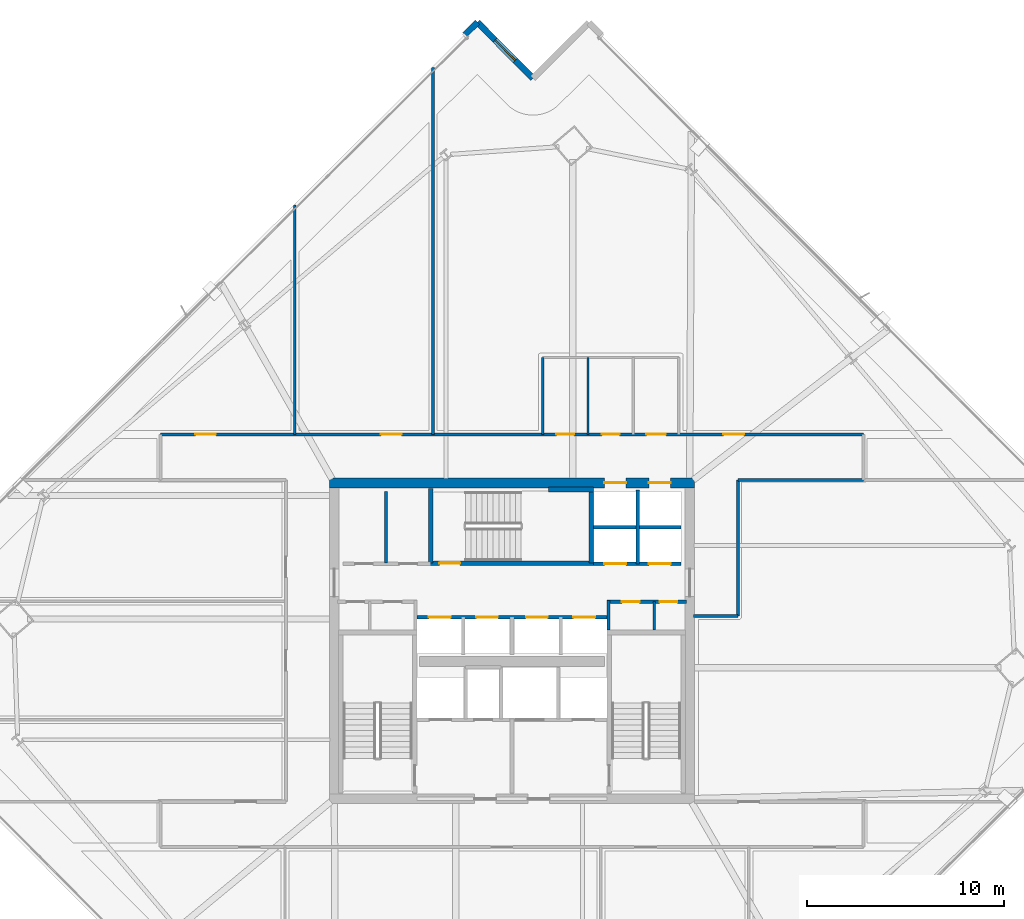
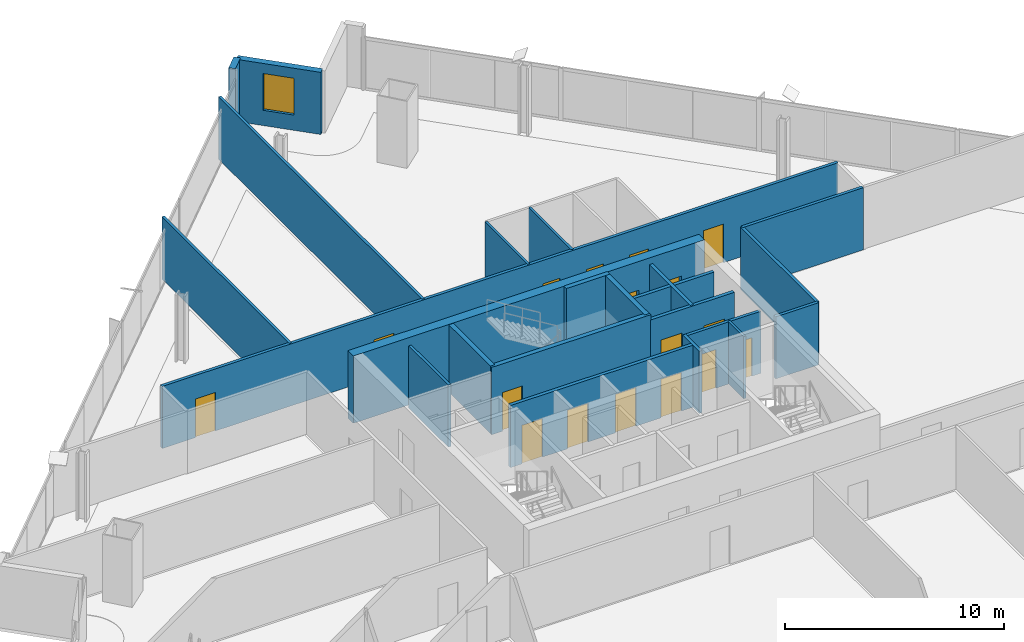
# One storey, part 26 of 32: 23 walls, 17 doors, 1 window, 18 openings.
"""IFC4 building model written with IfcOpenShell, lengths in metres."""

from ifc_helpers import new_model, si_unit, direction, frame, frame_2d, origin, place, context, subcontext, project, spatial, rectangle, extrude, material, layer, layer_set, type_object, element, fill, save


model = new_model("IFC4")

# Units and contexts
model_context = context("Model", 3, precision=1e-05, world=origin(), true_north=direction((0.0, 1.0)))
body_context = subcontext(model_context, "Body", "Model", "MODEL_VIEW")
ifc_project = project(units=[si_unit("LENGTHUNIT", "METRE"), si_unit("AREAUNIT", "SQUARE_METRE"), si_unit("VOLUMEUNIT", "CUBIC_METRE"), si_unit("PLANEANGLEUNIT", "RADIAN"), si_unit("MASSUNIT", "GRAM", prefix="KILO")], contexts=[model_context])

# Site, building, storey
site_placement = place(None, origin())
site = spatial("IfcSite", under=ifc_project, at=site_placement, CompositionType="ELEMENT")
building_placement = place(site_placement, origin())
building = spatial("IfcBuilding", under=site, at=building_placement, Name="Haldenkirk Collegiate Tower", CompositionType="ELEMENT")
storey_placement = place(building_placement, frame((0.0, 0.0, 178.199951171875)))
storey = spatial("IfcBuildingStorey", under=building, at=storey_placement, Name="L44", CompositionType="ELEMENT", Elevation=178.199951171875)

# Wall, openings, doors
ifc_material_1 = material(Name="Concrete f'c 55 MPa", Category="concrete")
ifc_layer_1 = layer(ifc_material_1, 0.5)
ifc_layer_set_1 = layer_set([ifc_layer_1], Name="Concrete f'c 55 MPa")
wall_type_1 = type_object("IfcWallType", Name="WL-CORE-500", PredefinedType="SHEAR", material=ifc_layer_set_1)
wall_1_placement = place(storey_placement, frame((26.75, 34.0, 0.0), z_axis=(0.0, 0.0, 1.0), x_axis=(1.0, 0.0, 0.0)))
wall_1 = element("IfcWall", 1, at=wall_1_placement, inside=storey, type_object=wall_type_1, Name="L44 central core shear wall N", PredefinedType="SHEAR", context=body_context, shape_type="SweptSolid", body=[
    extrude(rectangle(XDim=18.5, YDim=0.5, at=frame_2d((9.25, 0.0))), origin(), (0.0, 0.0, 1.0), 3.75),
])
opening_1_placement = place(wall_1_placement, frame((13.93505859375, 0.0, 0.0)))
opening_1 = element("IfcOpeningElement", 2, at=opening_1_placement, cuts=wall_1, Name="Opening LD-11", PredefinedType="OPENING", context=body_context, shape_type="SweptSolid", body=[
    extrude(rectangle(XDim=1.10009765625, YDim=2.14990234375, at=frame_2d((0.550048828125, 1.074951171875))), frame((0.0, 0.260009765625, 0.0), z_axis=(0.0, -1.0, 0.0), x_axis=(1.0, 0.0, 0.0)), (0.0, 0.0, 1.0), 0.52001953125),
])
opening_2_placement = place(wall_1_placement, frame((16.18505859375, 0.0, 0.0)))
opening_2 = element("IfcOpeningElement", 3, at=opening_2_placement, cuts=wall_1, Name="Opening LD-11", PredefinedType="OPENING", context=body_context, shape_type="SweptSolid", body=[
    extrude(rectangle(XDim=1.10009765625, YDim=2.14990234375, at=frame_2d((0.550048828125, 1.074951171875))), frame((0.0, 0.260009765625, 0.0), z_axis=(0.0, -1.0, 0.0), x_axis=(1.0, 0.0, 0.0)), (0.0, 0.0, 1.0), 0.52001953125),
])
ifc_material_2 = material(Name="Brushed architectural stainless steel", Category="steel")
ifc_layer_2 = layer(ifc_material_2, 0.06005859375)
ifc_layer_set_2 = layer_set([ifc_layer_2], Name="Brushed architectural stainless steel")
door_type_1 = type_object("IfcDoorType", Name="LD-PASS-1100", OperationType="NOTDEFINED", PredefinedType="DOOR", material=ifc_layer_set_2)
door_1_placement = place(opening_1_placement, origin())
door_1 = element("IfcDoor", 4, at=door_1_placement, inside=storey, type_object=door_type_1, Name="L44 Elevator PM3 sliding landing door", OperationType="SLIDING_TO_LEFT", OverallHeight=2.14990234375, OverallWidth=1.10009765625, PredefinedType="DOOR", context=body_context, shape_type="SweptSolid", body=[
    extrude(rectangle(XDim=1.10009765625, YDim=2.14990234375, at=frame_2d((0.550048828125, 1.074951171875))), frame((0.0, 0.02490234375, 0.0), z_axis=(0.0, -1.0, 0.0), x_axis=(1.0, 0.0, 0.0)), (0.0, 0.0, 1.0), 0.050048828125),
])
fill(opening_1, door_1)
door_2_placement = place(opening_2_placement, origin())
door_2 = element("IfcDoor", 5, at=door_2_placement, inside=storey, type_object=door_type_1, Name="L44 Elevator PM4 sliding landing door", OperationType="SLIDING_TO_LEFT", OverallHeight=2.14990234375, OverallWidth=1.10009765625, PredefinedType="DOOR", context=body_context, shape_type="SweptSolid", body=[
    extrude(rectangle(XDim=1.10009765625, YDim=2.14990234375, at=frame_2d((0.550048828125, 1.074951171875))), frame((0.0, 0.02490234375, 0.0), z_axis=(0.0, -1.0, 0.0), x_axis=(1.0, 0.0, 0.0)), (0.0, 0.0, 1.0), 0.050048828125),
])
fill(opening_2, door_2)

# Wall, opening, window
ifc_material_3 = material(Name="Precast concrete f'c 40 MPa", Category="concrete")
ifc_layer_3 = layer(ifc_material_3, 0.320068359375)
ifc_layer_set_3 = layer_set([ifc_layer_3], Name="Precast concrete f'c 40 MPa")
wall_type_2 = type_object("IfcWallType", Name="WL-EXT-TWR-320", PredefinedType="STANDARD", material=ifc_layer_set_3)
wall_2_placement = place(storey_placement, frame((34.243408203125, 57.32958984375, 0.0), z_axis=(0.0, 0.0, 1.0), x_axis=(0.70524280723, -0.708965854503, 0.0)))
wall_2 = element("IfcWall", 6, at=wall_2_placement, inside=storey, type_object=wall_type_2, Name="L44 bronze precast notch wall 06", PredefinedType="STANDARD", context=body_context, shape_type="SweptSolid", body=[
    extrude(rectangle(XDim=4.0, YDim=0.320068359375, at=frame_2d((2.0, 0.0))), origin(), (0.0, 0.0, 1.0), 3.4599609375),
])
opening_3_placement = place(wall_2_placement, frame((1.27490234375, 0.0, 0.85009765625)))
opening_3 = element("IfcOpeningElement", 7, at=opening_3_placement, cuts=wall_2, Name="Opening W-05", PredefinedType="OPENING", context=body_context, shape_type="SweptSolid", body=[
    extrude(rectangle(XDim=1.449951171875, YDim=2.050048828125, at=frame_2d((0.72509765625, 1.02490234375))), frame((0.0, 0.169921875, 0.0), z_axis=(0.0, -1.0, 0.0), x_axis=(1.0, 0.0, 0.0)), (0.0, 0.0, 1.0), 0.340087890625),
])
ifc_material_4 = material(Name="Low-E argon triple insulating glass", Category="glass")
ifc_layer_4 = layer(ifc_material_4, 0.090087890625)
ifc_layer_set_4 = layer_set([ifc_layer_4], Name="Low-E argon triple insulating glass")
window_type = type_object("IfcWindowType", Name="WN-Z3-1450X2050", PartitioningType="SINGLE_PANEL", PredefinedType="WINDOW", material=ifc_layer_set_4)
window_placement = place(opening_3_placement, origin())
window = element("IfcWindow", 8, at=window_placement, inside=storey, type_object=window_type, Name="L44 precast-frame academic window 5", OverallHeight=2.050048828125, OverallWidth=1.449951171875, PartitioningType="SINGLE_PANEL", PredefinedType="WINDOW", context=body_context, shape_type="SweptSolid", body=[
    extrude(rectangle(XDim=1.449951171875, YDim=2.050048828125, at=frame_2d((0.72509765625, 1.02490234375))), frame((0.0, 0.030029296875, 0.0), z_axis=(0.0, -1.0, 0.0), x_axis=(1.0, 0.0, 0.0)), (0.0, 0.0, 1.0), 0.06005859375),
])
fill(opening_3, window)

# Wall
wall_3_placement = place(storey_placement, frame((33.60546875, 56.69482421875, 0.0), z_axis=(0.0, 0.0, 1.0), x_axis=(0.708867935569, 0.705341229422, 0.0)))
element("IfcWall", 9, at=wall_3_placement, inside=storey, type_object=wall_type_2, Name="L44 precast corner pier NR", PredefinedType="STANDARD", context=body_context, shape_type="SweptSolid", body=[
    extrude(rectangle(XDim=0.89990234375, YDim=0.320068359375, at=frame_2d((0.449951171875, 0.0))), origin(), (0.0, 0.0, 1.0), 3.4599609375),
])

# Wall, openings, doors
ifc_material_5 = material(Name="Acoustic fire-rated gypsum partition", Category="concrete")
ifc_layer_5 = layer(ifc_material_5, 0.159912109375)
ifc_layer_set_5 = layer_set([ifc_layer_5], Name="Acoustic fire-rated gypsum partition")
wall_type_3 = type_object("IfcWallType", Name="WL-INT-CORR-160", PredefinedType="PARTITIONING", material=ifc_layer_set_5)
wall_4_placement = place(storey_placement, frame((40.800048828125, 27.97998046875, 0.0), z_axis=(0.0, 0.0, 1.0), x_axis=(1.0, 0.0, 0.0)))
wall_4 = element("IfcWall", 10, at=wall_4_placement, inside=storey, type_object=wall_type_3, Name="L44 interior partition IW-L44-VCSE-N", PredefinedType="PARTITIONING", context=body_context, shape_type="SweptSolid", body=[
    extrude(rectangle(XDim=4.050048828125, YDim=0.159912109375, at=frame_2d((2.02490234375, 0.0))), origin(), (0.0, 0.0, 1.0), 3.4599609375),
])
opening_4_placement = place(wall_4_placement, frame((0.77001953125, 0.0, 0.0)))
opening_4 = element("IfcOpeningElement", 11, at=opening_4_placement, cuts=wall_4, Name="Opening D-11", PredefinedType="OPENING", context=body_context, shape_type="SweptSolid", body=[
    extrude(rectangle(XDim=0.89990234375, YDim=2.14990234375, at=frame_2d((0.449951171875, 1.074951171875))), frame((0.0, 0.08984375, 0.0), z_axis=(0.0, -1.0, 0.0), x_axis=(1.0, 0.0, 0.0)), (0.0, 0.0, 1.0), 0.179931640625),
])
opening_5_placement = place(wall_4_placement, frame((2.679931640625, 0.0, 0.0)))
opening_5 = element("IfcOpeningElement", 12, at=opening_5_placement, cuts=wall_4, Name="Opening D-11", PredefinedType="OPENING", context=body_context, shape_type="SweptSolid", body=[
    extrude(rectangle(XDim=0.89990234375, YDim=2.14990234375, at=frame_2d((0.449951171875, 1.074951171875))), frame((0.0, 0.08984375, 0.0), z_axis=(0.0, -1.0, 0.0), x_axis=(1.0, 0.0, 0.0)), (0.0, 0.0, 1.0), 0.179931640625),
])
ifc_material_6 = material(Name="Solid-core architectural oak fire door", Category="wood")
ifc_layer_6 = layer(ifc_material_6, 0.06005859375)
ifc_layer_set_6 = layer_set([ifc_layer_6], Name="Solid-core architectural oak fire door")
door_type_2 = type_object("IfcDoorType", Name="DR-INT-FD60-900", OperationType="NOTDEFINED", PredefinedType="DOOR", material=ifc_layer_set_6)
door_3_placement = place(opening_4_placement, origin())
door_3 = element("IfcDoor", 13, at=door_3_placement, inside=storey, type_object=door_type_2, Name="L44 core archive door", OperationType="SINGLE_SWING_LEFT", OverallHeight=2.14990234375, OverallWidth=0.89990234375, PredefinedType="DOOR", context=body_context, shape_type="SweptSolid", body=[
    extrude(rectangle(XDim=0.89990234375, YDim=2.14990234375, at=frame_2d((0.449951171875, 1.074951171875))), frame((0.0, 0.02490234375, 0.0), z_axis=(0.0, -1.0, 0.0), x_axis=(1.0, 0.0, 0.0)), (0.0, 0.0, 1.0), 0.050048828125),
])
fill(opening_4, door_3)
door_4_placement = place(opening_5_placement, origin())
door_4 = element("IfcDoor", 14, at=door_4_placement, inside=storey, type_object=door_type_2, Name="L44 core telecom door", OperationType="SINGLE_SWING_RIGHT", OverallHeight=2.14990234375, OverallWidth=0.89990234375, PredefinedType="DOOR", context=body_context, shape_type="SweptSolid", body=[
    extrude(rectangle(XDim=0.89990234375, YDim=2.14990234375, at=frame_2d((0.449951171875, 1.074951171875))), frame((0.0, 0.02490234375, 0.0), z_axis=(0.0, -1.0, 0.0), x_axis=(1.0, 0.0, 0.0)), (0.0, 0.0, 1.0), 0.050048828125),
])
fill(opening_5, door_4)

# Wall
wall_5_placement = place(storey_placement, frame((40.8798828125, 26.5400390625, 0.0), z_axis=(0.0, 0.0, 1.0), x_axis=(0.0, 1.0, 0.0)))
element("IfcWall", 15, at=wall_5_placement, inside=storey, type_object=wall_type_3, Name="L44 interior partition IW-L44-VCSE-W", PredefinedType="PARTITIONING", context=body_context, shape_type="SweptSolid", body=[
    extrude(rectangle(XDim=1.510009765625, YDim=0.159912109375, at=frame_2d((0.7548828125, 0.0))), origin(), (0.0, 0.0, 1.0), 3.4599609375),
])

# Wall, openings, doors
wall_6_placement = place(storey_placement, frame((18.199951171875, 36.449951171875, 0.0), z_axis=(0.0, 0.0, 1.0), x_axis=(1.0, 0.0, 0.0)))
wall_6 = element("IfcWall", 16, at=wall_6_placement, inside=storey, type_object=wall_type_3, Name="L44 interior partition IW-L44-CN", PredefinedType="PARTITIONING", context=body_context, shape_type="SweptSolid", body=[
    extrude(rectangle(XDim=35.60009765625, YDim=0.159912109375, at=frame_2d((17.800048828125, 0.0))), origin(), (0.0, 0.0, 1.0), 3.4599609375),
])
opening_6_placement = place(wall_6_placement, frame((20.050048828125, 0.0, 0.0)))
opening_6 = element("IfcOpeningElement", 17, at=opening_6_placement, cuts=wall_6, Name="Opening D-13", PredefinedType="OPENING", context=body_context, shape_type="SweptSolid", body=[
    extrude(rectangle(XDim=0.89990234375, YDim=2.14990234375, at=frame_2d((0.449951171875, 1.074951171875))), frame((0.0, 0.08984375, 0.0), z_axis=(0.0, -1.0, 0.0), x_axis=(1.0, 0.0, 0.0)), (0.0, 0.0, 1.0), 0.179931640625),
])
opening_7_placement = place(wall_6_placement, frame((22.35009765625, 0.0, 0.0)))
opening_7 = element("IfcOpeningElement", 18, at=opening_7_placement, cuts=wall_6, Name="Opening D-13", PredefinedType="OPENING", context=body_context, shape_type="SweptSolid", body=[
    extrude(rectangle(XDim=0.89990234375, YDim=2.14990234375, at=frame_2d((0.449951171875, 1.074951171875))), frame((0.0, 0.08984375, 0.0), z_axis=(0.0, -1.0, 0.0), x_axis=(1.0, 0.0, 0.0)), (0.0, 0.0, 1.0), 0.179931640625),
])
opening_8_placement = place(wall_6_placement, frame((24.60009765625, 0.0, 0.0)))
opening_8 = element("IfcOpeningElement", 19, at=opening_8_placement, cuts=wall_6, Name="Opening D-14", PredefinedType="OPENING", context=body_context, shape_type="SweptSolid", body=[
    extrude(rectangle(XDim=1.0, YDim=2.14990234375, at=frame_2d((0.5, 1.074951171875))), frame((0.0, 0.08984375, 0.0), z_axis=(0.0, -1.0, 0.0), x_axis=(1.0, 0.0, 0.0)), (0.0, 0.0, 1.0), 0.179931640625),
])
opening_9_placement = place(wall_6_placement, frame((1.757080078125, 0.0, 0.0)))
opening_9 = element("IfcOpeningElement", 20, at=opening_9_placement, cuts=wall_6, Name="Opening D-09", PredefinedType="OPENING", context=body_context, shape_type="SweptSolid", body=[
    extrude(rectangle(XDim=1.050048828125, YDim=2.14990234375, at=frame_2d((0.52490234375, 1.074951171875))), frame((0.0, 0.08984375, 0.0), z_axis=(0.0, -1.0, 0.0), x_axis=(1.0, 0.0, 0.0)), (0.0, 0.0, 1.0), 0.179931640625),
])
opening_10_placement = place(wall_6_placement, frame((11.155029296875, 0.0, 0.0)))
opening_10 = element("IfcOpeningElement", 21, at=opening_10_placement, cuts=wall_6, Name="Opening D-09", PredefinedType="OPENING", context=body_context, shape_type="SweptSolid", body=[
    extrude(rectangle(XDim=1.050048828125, YDim=2.14990234375, at=frame_2d((0.52490234375, 1.074951171875))), frame((0.0, 0.08984375, 0.0), z_axis=(0.0, -1.0, 0.0), x_axis=(1.0, 0.0, 0.0)), (0.0, 0.0, 1.0), 0.179931640625),
])
opening_11_placement = place(wall_6_placement, frame((28.5048828125, 0.0, 0.0)))
opening_11 = element("IfcOpeningElement", 22, at=opening_11_placement, cuts=wall_6, Name="Opening D-09", PredefinedType="OPENING", context=body_context, shape_type="SweptSolid", body=[
    extrude(rectangle(XDim=1.050048828125, YDim=2.14990234375, at=frame_2d((0.52490234375, 1.074951171875))), frame((0.0, 0.08984375, 0.0), z_axis=(0.0, -1.0, 0.0), x_axis=(1.0, 0.0, 0.0)), (0.0, 0.0, 1.0), 0.179931640625),
])
ifc_layer_7 = layer(ifc_material_6, 0.06005859375)
ifc_layer_set_7 = layer_set([ifc_layer_7], Name="Solid-core architectural oak fire door")
door_type_3 = type_object("IfcDoorType", Name="DR-INT-ACC-1000", OperationType="NOTDEFINED", PredefinedType="DOOR", material=ifc_layer_set_7)
door_5_placement = place(opening_8_placement, origin())
door_5 = element("IfcDoor", 23, at=door_5_placement, inside=storey, type_object=door_type_3, Name="L44 Accessible WC door", OperationType="SINGLE_SWING_LEFT", OverallHeight=2.14990234375, OverallWidth=1.0, PredefinedType="DOOR", context=body_context, shape_type="SweptSolid", body=[
    extrude(rectangle(XDim=1.0, YDim=2.14990234375, at=frame_2d((0.5, 1.074951171875))), frame((0.0, 0.02490234375, 0.0), z_axis=(0.0, -1.0, 0.0), x_axis=(1.0, 0.0, 0.0)), (0.0, 0.0, 1.0), 0.050048828125),
])
fill(opening_8, door_5)
ifc_layer_8 = layer(ifc_material_6, 0.06005859375)
ifc_layer_set_8 = layer_set([ifc_layer_8], Name="Solid-core architectural oak fire door")
door_type_4 = type_object("IfcDoorType", Name="DR-INT-FD60-1050", OperationType="NOTDEFINED", PredefinedType="DOOR", material=ifc_layer_set_8)
door_6_placement = place(opening_9_placement, origin())
door_6 = element("IfcDoor", 24, at=door_6_placement, inside=storey, type_object=door_type_4, Name="L44 Research Office 5 door", OperationType="SINGLE_SWING_RIGHT", OverallHeight=2.14990234375, OverallWidth=1.050048828125, PredefinedType="DOOR", context=body_context, shape_type="SweptSolid", body=[
    extrude(rectangle(XDim=1.050048828125, YDim=2.14990234375, at=frame_2d((0.52490234375, 1.074951171875))), frame((0.0, 0.02490234375, 0.0), z_axis=(0.0, -1.0, 0.0), x_axis=(1.0, 0.0, 0.0)), (0.0, 0.0, 1.0), 0.050048828125),
])
fill(opening_9, door_6)
door_7_placement = place(opening_10_placement, origin())
door_7 = element("IfcDoor", 25, at=door_7_placement, inside=storey, type_object=door_type_4, Name="L44 Doctoral Office 6 door", OperationType="SINGLE_SWING_LEFT", OverallHeight=2.14990234375, OverallWidth=1.050048828125, PredefinedType="DOOR", context=body_context, shape_type="SweptSolid", body=[
    extrude(rectangle(XDim=1.050048828125, YDim=2.14990234375, at=frame_2d((0.52490234375, 1.074951171875))), frame((0.0, 0.02490234375, 0.0), z_axis=(0.0, -1.0, 0.0), x_axis=(1.0, 0.0, 0.0)), (0.0, 0.0, 1.0), 0.050048828125),
])
fill(opening_10, door_7)
door_8_placement = place(opening_11_placement, origin())
door_8 = element("IfcDoor", 26, at=door_8_placement, inside=storey, type_object=door_type_4, Name="L44 Wet Science Laboratory 7 door", OperationType="SINGLE_SWING_RIGHT", OverallHeight=2.14990234375, OverallWidth=1.050048828125, PredefinedType="DOOR", context=body_context, shape_type="SweptSolid", body=[
    extrude(rectangle(XDim=1.050048828125, YDim=2.14990234375, at=frame_2d((0.52490234375, 1.074951171875))), frame((0.0, 0.02490234375, 0.0), z_axis=(0.0, -1.0, 0.0), x_axis=(1.0, 0.0, 0.0)), (0.0, 0.0, 1.0), 0.050048828125),
])
fill(opening_11, door_8)
ifc_layer_9 = layer(ifc_material_6, 0.06005859375)
ifc_layer_set_9 = layer_set([ifc_layer_9], Name="Solid-core architectural oak fire door")
door_type_5 = type_object("IfcDoorType", Name="DR-INT-STD-900", OperationType="NOTDEFINED", PredefinedType="DOOR", material=ifc_layer_set_9)
door_9_placement = place(opening_6_placement, origin())
door_9 = element("IfcDoor", 27, at=door_9_placement, inside=storey, type_object=door_type_5, Name="L44 Male WC door", OperationType="SINGLE_SWING_LEFT", OverallHeight=2.14990234375, OverallWidth=0.89990234375, PredefinedType="DOOR", context=body_context, shape_type="SweptSolid", body=[
    extrude(rectangle(XDim=0.89990234375, YDim=2.14990234375, at=frame_2d((0.449951171875, 1.074951171875))), frame((0.0, 0.02490234375, 0.0), z_axis=(0.0, -1.0, 0.0), x_axis=(1.0, 0.0, 0.0)), (0.0, 0.0, 1.0), 0.050048828125),
])
fill(opening_6, door_9)
door_10_placement = place(opening_7_placement, origin())
door_10 = element("IfcDoor", 28, at=door_10_placement, inside=storey, type_object=door_type_5, Name="L44 Female WC door", OperationType="SINGLE_SWING_RIGHT", OverallHeight=2.14990234375, OverallWidth=0.89990234375, PredefinedType="DOOR", context=body_context, shape_type="SweptSolid", body=[
    extrude(rectangle(XDim=0.89990234375, YDim=2.14990234375, at=frame_2d((0.449951171875, 1.074951171875))), frame((0.0, 0.02490234375, 0.0), z_axis=(0.0, -1.0, 0.0), x_axis=(1.0, 0.0, 0.0)), (0.0, 0.0, 1.0), 0.050048828125),
])
fill(opening_7, door_10)

# Walls
wall_7_placement = place(storey_placement, frame((47.449951171875, 34.14990234375, 0.0), z_axis=(0.0, 0.0, 1.0), x_axis=(1.0, 0.0, 0.0)))
element("IfcWall", 29, at=wall_7_placement, inside=storey, type_object=wall_type_3, Name="L44 interior partition IW-L44-CNE", PredefinedType="PARTITIONING", context=body_context, shape_type="SweptSolid", body=[
    extrude(rectangle(XDim=6.35009765625, YDim=0.159912109375, at=frame_2d((3.175048828125, 0.0))), origin(), (0.0, 0.0, 1.0), 3.4599609375),
])
wall_8_placement = place(storey_placement, frame((47.449951171875, 27.25, 0.0), z_axis=(0.0, 0.0, 1.0), x_axis=(0.0, 1.0, 0.0)))
element("IfcWall", 30, at=wall_8_placement, inside=storey, type_object=wall_type_3, Name="L44 interior partition IW-L44-CE", PredefinedType="PARTITIONING", context=body_context, shape_type="SweptSolid", body=[
    extrude(rectangle(XDim=6.89990234375, YDim=0.159912109375, at=frame_2d((3.449951171875, 0.0))), origin(), (0.0, 0.0, 1.0), 3.4599609375),
])
wall_9_placement = place(storey_placement, frame((45.199951171875, 27.25, 0.0), z_axis=(0.0, 0.0, 1.0), x_axis=(1.0, 0.0, 0.0)))
element("IfcWall", 31, at=wall_9_placement, inside=storey, type_object=wall_type_3, Name="L44 interior partition IW-L44-CES", PredefinedType="PARTITIONING", context=body_context, shape_type="SweptSolid", body=[
    extrude(rectangle(XDim=2.25, YDim=0.159912109375, at=frame_2d((1.125, 0.0))), origin(), (0.0, 0.0, 1.0), 3.4599609375),
])
ifc_layer_10 = layer(ifc_material_5, 0.139892578125)
ifc_layer_set_10 = layer_set([ifc_layer_10], Name="Acoustic fire-rated gypsum partition")
wall_type_4 = type_object("IfcWallType", Name="WL-INT-DIV-140", PredefinedType="PARTITIONING", material=ifc_layer_set_10)
wall_10_placement = place(storey_placement, frame((29.6201171875, 29.949951171875, 0.0), z_axis=(0.0, 0.0, 1.0), x_axis=(0.0, 1.0, 0.0)))
element("IfcWall", 32, at=wall_10_placement, inside=storey, type_object=wall_type_4, Name="L44 interior partition IW-L44-PLDIV", PredefinedType="PARTITIONING", context=body_context, shape_type="SweptSolid", body=[
    extrude(rectangle(XDim=3.60009765625, YDim=0.139892578125, at=frame_2d((1.800048828125, 0.0))), origin(), (0.0, 0.0, 1.0), 3.4599609375),
])
wall_11_placement = place(storey_placement, frame((25.0, 36.449951171875, 0.0), z_axis=(0.0, 0.0, 1.0), x_axis=(0.0, 1.0, 0.0)))
element("IfcWall", 33, at=wall_11_placement, inside=storey, type_object=wall_type_4, Name="L44 interior partition IW-L44-RN1", PredefinedType="PARTITIONING", context=body_context, shape_type="SweptSolid", body=[
    extrude(rectangle(XDim=11.6279296875, YDim=0.139892578125, at=frame_2d((5.81396484375, 0.0))), origin(), (0.0, 0.0, 1.0), 3.4599609375),
])
wall_12_placement = place(storey_placement, frame((32.0, 36.449951171875, 0.0), z_axis=(0.0, 0.0, 1.0), x_axis=(0.0, 1.0, 0.0)))
element("IfcWall", 34, at=wall_12_placement, inside=storey, type_object=wall_type_4, Name="L44 interior partition IW-L44-RN2", PredefinedType="PARTITIONING", context=body_context, shape_type="SweptSolid", body=[
    extrude(rectangle(XDim=18.59130859375, YDim=0.139892578125, at=frame_2d((9.295654296875, 0.0))), origin(), (0.0, 0.0, 1.0), 3.4599609375),
])

# Wall, openings, doors
ifc_material_7 = material(Name="Fire-rated gypsum shaftboard assembly", Category="concrete")
ifc_layer_11 = layer(ifc_material_7, 0.179931640625)
ifc_layer_set_11 = layer_set([ifc_layer_11], Name="Fire-rated gypsum shaftboard assembly")
wall_type_5 = type_object("IfcWallType", Name="WL-INT-SHAFT-180", PredefinedType="PARTITIONING", material=ifc_layer_set_11)
wall_13_placement = place(storey_placement, frame((40.1201171875, 29.89990234375, 0.0), z_axis=(0.0, 0.0, 1.0), x_axis=(1.0, 0.0, 0.0)))
wall_13 = element("IfcWall", 35, at=wall_13_placement, inside=storey, type_object=wall_type_5, Name="L44 interior partition IW-L44-PMS", PredefinedType="PARTITIONING", context=body_context, shape_type="SweptSolid", body=[
    extrude(rectangle(XDim=4.429931640625, YDim=0.179931640625, at=frame_2d((2.21484375, 0.0))), origin(), (0.0, 0.0, 1.0), 3.4599609375),
])
opening_12_placement = place(wall_13_placement, frame((0.56494140625, 0.0, 0.0)))
opening_12 = element("IfcOpeningElement", 36, at=opening_12_placement, cuts=wall_13, Name="Opening LD-11", PredefinedType="OPENING", context=body_context, shape_type="SweptSolid", body=[
    extrude(rectangle(XDim=1.10009765625, YDim=2.14990234375, at=frame_2d((0.550048828125, 1.074951171875))), frame((0.0, 0.099853515625, 0.0), z_axis=(0.0, -1.0, 0.0), x_axis=(1.0, 0.0, 0.0)), (0.0, 0.0, 1.0), 0.199951171875),
])
opening_13_placement = place(wall_13_placement, frame((2.81494140625, 0.0, 0.0)))
opening_13 = element("IfcOpeningElement", 37, at=opening_13_placement, cuts=wall_13, Name="Opening LD-11", PredefinedType="OPENING", context=body_context, shape_type="SweptSolid", body=[
    extrude(rectangle(XDim=1.10009765625, YDim=2.14990234375, at=frame_2d((0.550048828125, 1.074951171875))), frame((0.0, 0.099853515625, 0.0), z_axis=(0.0, -1.0, 0.0), x_axis=(1.0, 0.0, 0.0)), (0.0, 0.0, 1.0), 0.199951171875),
])
door_11_placement = place(opening_12_placement, origin())
door_11 = element("IfcDoor", 38, at=door_11_placement, inside=storey, type_object=door_type_1, Name="L44 Elevator PM1 sliding landing door", OperationType="SLIDING_TO_LEFT", OverallHeight=2.14990234375, OverallWidth=1.10009765625, PredefinedType="DOOR", context=body_context, shape_type="SweptSolid", body=[
    extrude(rectangle(XDim=1.10009765625, YDim=2.14990234375, at=frame_2d((0.550048828125, 1.074951171875))), frame((0.0, 0.02490234375, 0.0), z_axis=(0.0, -1.0, 0.0), x_axis=(1.0, 0.0, 0.0)), (0.0, 0.0, 1.0), 0.050048828125),
])
fill(opening_12, door_11)
door_12_placement = place(opening_13_placement, origin())
door_12 = element("IfcDoor", 39, at=door_12_placement, inside=storey, type_object=door_type_1, Name="L44 Elevator PM2 sliding landing door", OperationType="SLIDING_TO_LEFT", OverallHeight=2.14990234375, OverallWidth=1.10009765625, PredefinedType="DOOR", context=body_context, shape_type="SweptSolid", body=[
    extrude(rectangle(XDim=1.10009765625, YDim=2.14990234375, at=frame_2d((0.550048828125, 1.074951171875))), frame((0.0, 0.02490234375, 0.0), z_axis=(0.0, -1.0, 0.0), x_axis=(1.0, 0.0, 0.0)), (0.0, 0.0, 1.0), 0.050048828125),
])
fill(opening_13, door_12)

# Walls
wall_14_placement = place(storey_placement, frame((40.1201171875, 31.75, 0.0), z_axis=(0.0, 0.0, 1.0), x_axis=(1.0, 0.0, 0.0)))
element("IfcWall", 40, at=wall_14_placement, inside=storey, type_object=wall_type_5, Name="L44 interior partition IW-L44-PMM", PredefinedType="PARTITIONING", context=body_context, shape_type="SweptSolid", body=[
    extrude(rectangle(XDim=4.429931640625, YDim=0.179931640625, at=frame_2d((2.21484375, 0.0))), origin(), (0.0, 0.0, 1.0), 3.4599609375),
])
wall_15_placement = place(storey_placement, frame((42.3701171875, 29.89990234375, 0.0), z_axis=(0.0, 0.0, 1.0), x_axis=(0.0, 1.0, 0.0)))
element("IfcWall", 41, at=wall_15_placement, inside=storey, type_object=wall_type_5, Name="L44 interior partition IW-L44-PMV", PredefinedType="PARTITIONING", context=body_context, shape_type="SweptSolid", body=[
    extrude(rectangle(XDim=3.75, YDim=0.179931640625, at=frame_2d((1.875, 0.0))), origin(), (0.0, 0.0, 1.0), 3.4599609375),
])

# Wall, openings, doors
wall_16_placement = place(storey_placement, frame((31.199951171875, 27.199951171875, 0.0), z_axis=(0.0, 0.0, 1.0), x_axis=(1.0, 0.0, 0.0)))
wall_16 = element("IfcWall", 42, at=wall_16_placement, inside=storey, type_object=wall_type_5, Name="L44 interior partition IW-L44-PHN", PredefinedType="PARTITIONING", context=body_context, shape_type="SweptSolid", body=[
    extrude(rectangle(XDim=9.60009765625, YDim=0.179931640625, at=frame_2d((4.800048828125, 0.0))), origin(), (0.0, 0.0, 1.0), 3.4599609375),
])
opening_14_placement = place(wall_16_placement, frame((0.590087890625, 0.0, 0.0)))
opening_14 = element("IfcOpeningElement", 43, at=opening_14_placement, cuts=wall_16, Name="Opening LD-11", PredefinedType="OPENING", context=body_context, shape_type="SweptSolid", body=[
    extrude(rectangle(XDim=1.10009765625, YDim=2.14990234375, at=frame_2d((0.550048828125, 1.074951171875))), frame((0.0, 0.099853515625, 0.0), z_axis=(0.0, -1.0, 0.0), x_axis=(1.0, 0.0, 0.0)), (0.0, 0.0, 1.0), 0.199951171875),
])
opening_15_placement = place(wall_16_placement, frame((2.989990234375, 0.0, 0.0)))
opening_15 = element("IfcOpeningElement", 44, at=opening_15_placement, cuts=wall_16, Name="Opening LD-11", PredefinedType="OPENING", context=body_context, shape_type="SweptSolid", body=[
    extrude(rectangle(XDim=1.10009765625, YDim=2.14990234375, at=frame_2d((0.550048828125, 1.074951171875))), frame((0.0, 0.099853515625, 0.0), z_axis=(0.0, -1.0, 0.0), x_axis=(1.0, 0.0, 0.0)), (0.0, 0.0, 1.0), 0.199951171875),
])
opening_16_placement = place(wall_16_placement, frame((5.510009765625, 0.0, 0.0)))
opening_16 = element("IfcOpeningElement", 45, at=opening_16_placement, cuts=wall_16, Name="Opening LD-11", PredefinedType="OPENING", context=body_context, shape_type="SweptSolid", body=[
    extrude(rectangle(XDim=1.10009765625, YDim=2.14990234375, at=frame_2d((0.550048828125, 1.074951171875))), frame((0.0, 0.099853515625, 0.0), z_axis=(0.0, -1.0, 0.0), x_axis=(1.0, 0.0, 0.0)), (0.0, 0.0, 1.0), 0.199951171875),
])
opening_17_placement = place(wall_16_placement, frame((7.909912109375, 0.0, 0.0)))
opening_17 = element("IfcOpeningElement", 46, at=opening_17_placement, cuts=wall_16, Name="Opening LD-11", PredefinedType="OPENING", context=body_context, shape_type="SweptSolid", body=[
    extrude(rectangle(XDim=1.10009765625, YDim=2.14990234375, at=frame_2d((0.550048828125, 1.074951171875))), frame((0.0, 0.099853515625, 0.0), z_axis=(0.0, -1.0, 0.0), x_axis=(1.0, 0.0, 0.0)), (0.0, 0.0, 1.0), 0.199951171875),
])
door_13_placement = place(opening_14_placement, origin())
door_13 = element("IfcDoor", 47, at=door_13_placement, inside=storey, type_object=door_type_1, Name="L44 Elevator PH1 sliding landing door", OperationType="SLIDING_TO_LEFT", OverallHeight=2.14990234375, OverallWidth=1.10009765625, PredefinedType="DOOR", context=body_context, shape_type="SweptSolid", body=[
    extrude(rectangle(XDim=1.10009765625, YDim=2.14990234375, at=frame_2d((0.550048828125, 1.074951171875))), frame((0.0, 0.02490234375, 0.0), z_axis=(0.0, -1.0, 0.0), x_axis=(1.0, 0.0, 0.0)), (0.0, 0.0, 1.0), 0.050048828125),
])
fill(opening_14, door_13)
door_14_placement = place(opening_15_placement, origin())
door_14 = element("IfcDoor", 48, at=door_14_placement, inside=storey, type_object=door_type_1, Name="L44 Elevator PH2 sliding landing door", OperationType="SLIDING_TO_LEFT", OverallHeight=2.14990234375, OverallWidth=1.10009765625, PredefinedType="DOOR", context=body_context, shape_type="SweptSolid", body=[
    extrude(rectangle(XDim=1.10009765625, YDim=2.14990234375, at=frame_2d((0.550048828125, 1.074951171875))), frame((0.0, 0.02490234375, 0.0), z_axis=(0.0, -1.0, 0.0), x_axis=(1.0, 0.0, 0.0)), (0.0, 0.0, 1.0), 0.050048828125),
])
fill(opening_15, door_14)
door_15_placement = place(opening_16_placement, origin())
door_15 = element("IfcDoor", 49, at=door_15_placement, inside=storey, type_object=door_type_1, Name="L44 Elevator PH3 sliding landing door", OperationType="SLIDING_TO_LEFT", OverallHeight=2.14990234375, OverallWidth=1.10009765625, PredefinedType="DOOR", context=body_context, shape_type="SweptSolid", body=[
    extrude(rectangle(XDim=1.10009765625, YDim=2.14990234375, at=frame_2d((0.550048828125, 1.074951171875))), frame((0.0, 0.02490234375, 0.0), z_axis=(0.0, -1.0, 0.0), x_axis=(1.0, 0.0, 0.0)), (0.0, 0.0, 1.0), 0.050048828125),
])
fill(opening_16, door_15)
door_16_placement = place(opening_17_placement, origin())
door_16 = element("IfcDoor", 50, at=door_16_placement, inside=storey, type_object=door_type_1, Name="L44 Elevator PH4 sliding landing door", OperationType="SLIDING_TO_LEFT", OverallHeight=2.14990234375, OverallWidth=1.10009765625, PredefinedType="DOOR", context=body_context, shape_type="SweptSolid", body=[
    extrude(rectangle(XDim=1.10009765625, YDim=2.14990234375, at=frame_2d((0.550048828125, 1.074951171875))), frame((0.0, 0.02490234375, 0.0), z_axis=(0.0, -1.0, 0.0), x_axis=(1.0, 0.0, 0.0)), (0.0, 0.0, 1.0), 0.050048828125),
])
fill(opening_17, door_16)

# Walls
ifc_layer_12 = layer(ifc_material_5, 0.1201171875)
ifc_layer_set_12 = layer_set([ifc_layer_12], Name="Acoustic fire-rated gypsum partition")
wall_type_6 = type_object("IfcWallType", Name="WL-INT-WET-120", PredefinedType="PARTITIONING", material=ifc_layer_set_12)
wall_17_placement = place(storey_placement, frame((43.199951171875, 26.5400390625, 0.0), z_axis=(0.0, 0.0, 1.0), x_axis=(0.0, 1.0, 0.0)))
element("IfcWall", 51, at=wall_17_placement, inside=storey, type_object=wall_type_6, Name="L44 interior partition IW-L44-VCSE-M", PredefinedType="PARTITIONING", context=body_context, shape_type="SweptSolid", body=[
    extrude(rectangle(XDim=1.43994140625, YDim=0.1201171875, at=frame_2d((0.719970703125, 0.0))), origin(), (0.0, 0.0, 1.0), 3.4599609375),
])
for number, where, z_axis, x_axis, name in (
    (52, (37.550048828125, 36.449951171875, 0.0), (0.0, 0.0, 1.0), (0.0, 1.0, 0.0), "L44 interior partition IW-L44-WCW"),
    (53, (39.85009765625, 36.449951171875, 0.0), (0.0, 0.0, 1.0), (0.0, 1.0, 0.0), "L44 interior partition IW-L44-WC1"),
):
    element("IfcWall", number, at=place(storey_placement, frame(where, z_axis=z_axis, x_axis=x_axis)), inside=storey, type_object=wall_type_6, Name=name, PredefinedType="PARTITIONING", context=body_context, shape_type="SweptSolid", body=[
        extrude(rectangle(XDim=3.900146484375, YDim=0.1201171875, at=frame_2d((1.9501953125, 0.0))), origin(), (0.0, 0.0, 1.0), 3.4599609375),
    ])

# Wall, opening, door
ifc_layer_13 = layer(ifc_material_1, 0.239990234375)
ifc_layer_set_13 = layer_set([ifc_layer_13], Name="Concrete f'c 55 MPa")
wall_type_7 = type_object("IfcWallType", Name="WL-SHAFT-240", PredefinedType="SHEAR", material=ifc_layer_set_13)
wall_18_placement = place(storey_placement, frame((31.760009765625, 29.929931640625, 0.0), z_axis=(0.0, 0.0, 1.0), x_axis=(1.0, 0.0, 0.0)))
wall_18 = element("IfcWall", 54, at=wall_18_placement, inside=storey, type_object=wall_type_7, Name="L44 stair shaft shear wall SW-L44-ST3S", PredefinedType="SHEAR", context=body_context, shape_type="SweptSolid", body=[
    extrude(rectangle(XDim=8.3798828125, YDim=0.239990234375, at=frame_2d((4.18994140625, 0.0))), origin(), (0.0, 0.0, 1.0), 3.75),
])
opening_18_placement = place(wall_18_placement, frame((0.56494140625, 0.0, 0.0)))
opening_18 = element("IfcOpeningElement", 55, at=opening_18_placement, cuts=wall_18, Name="Opening D-01", PredefinedType="OPENING", context=body_context, shape_type="SweptSolid", body=[
    extrude(rectangle(XDim=1.050048828125, YDim=2.14990234375, at=frame_2d((0.52490234375, 1.074951171875))), frame((0.0, 0.1298828125, 0.0), z_axis=(0.0, -1.0, 0.0), x_axis=(1.0, 0.0, 0.0)), (0.0, 0.0, 1.0), 0.260009765625),
])
ifc_material_8 = material(Name="Galvanized fire-rated hollow steel door", Category="steel")
ifc_layer_14 = layer(ifc_material_8, 0.06005859375)
ifc_layer_set_14 = layer_set([ifc_layer_14], Name="Galvanized fire-rated hollow steel door")
door_type_6 = type_object("IfcDoorType", Name="DR-STAIR-FD90-1050", OperationType="NOTDEFINED", PredefinedType="DOOR", material=ifc_layer_set_14)
door_17_placement = place(opening_18_placement, origin())
door_17 = element("IfcDoor", 56, at=door_17_placement, inside=storey, type_object=door_type_6, Name="L44 lift lobby Stair 3 door", OperationType="SINGLE_SWING_LEFT", OverallHeight=2.14990234375, OverallWidth=1.050048828125, PredefinedType="DOOR", context=body_context, shape_type="SweptSolid", body=[
    extrude(rectangle(XDim=1.050048828125, YDim=2.14990234375, at=frame_2d((0.52490234375, 1.074951171875))), frame((0.0, 0.02490234375, 0.0), z_axis=(0.0, -1.0, 0.0), x_axis=(1.0, 0.0, 0.0)), (0.0, 0.0, 1.0), 0.050048828125),
])
fill(opening_18, door_17)

# Walls
wall_19_placement = place(storey_placement, frame((31.8798828125, 29.929931640625, 0.0), z_axis=(0.0, 0.0, 1.0), x_axis=(0.0, 1.0, 0.0)))
element("IfcWall", 57, at=wall_19_placement, inside=storey, type_object=wall_type_7, Name="L44 stair shaft shear wall SW-L44-ST3W", PredefinedType="SHEAR", context=body_context, shape_type="SweptSolid", body=[
    extrude(rectangle(XDim=3.7900390625, YDim=0.239990234375, at=frame_2d((1.89501953125, 0.0))), origin(), (0.0, 0.0, 1.0), 3.75),
])
wall_20_placement = place(storey_placement, frame((40.02001953125, 29.929931640625, 0.0), z_axis=(0.0, 0.0, 1.0), x_axis=(0.0, 1.0, 0.0)))
element("IfcWall", 58, at=wall_20_placement, inside=storey, type_object=wall_type_7, Name="L44 stair shaft shear wall SW-L44-ST3E", PredefinedType="SHEAR", context=body_context, shape_type="SweptSolid", body=[
    extrude(rectangle(XDim=3.85009765625, YDim=0.239990234375, at=frame_2d((1.925048828125, 0.0))), origin(), (0.0, 0.0, 1.0), 3.75),
])
wall_21_placement = place(storey_placement, frame((37.85009765625, 33.659912109375, 0.0), z_axis=(0.0, 0.0, 1.0), x_axis=(1.0, 0.0, 0.0)))
element("IfcWall", 59, at=wall_21_placement, inside=storey, type_object=wall_type_7, Name="L44 stair shaft shear wall SW-L44-ST3N", PredefinedType="SHEAR", context=body_context, shape_type="SweptSolid", body=[
    extrude(rectangle(XDim=2.289794921875, YDim=0.239990234375, at=frame_2d((1.14501953125, 0.0))), origin(), (0.0, 0.0, 1.0), 3.75),
])

save(model, "model.ifc")
